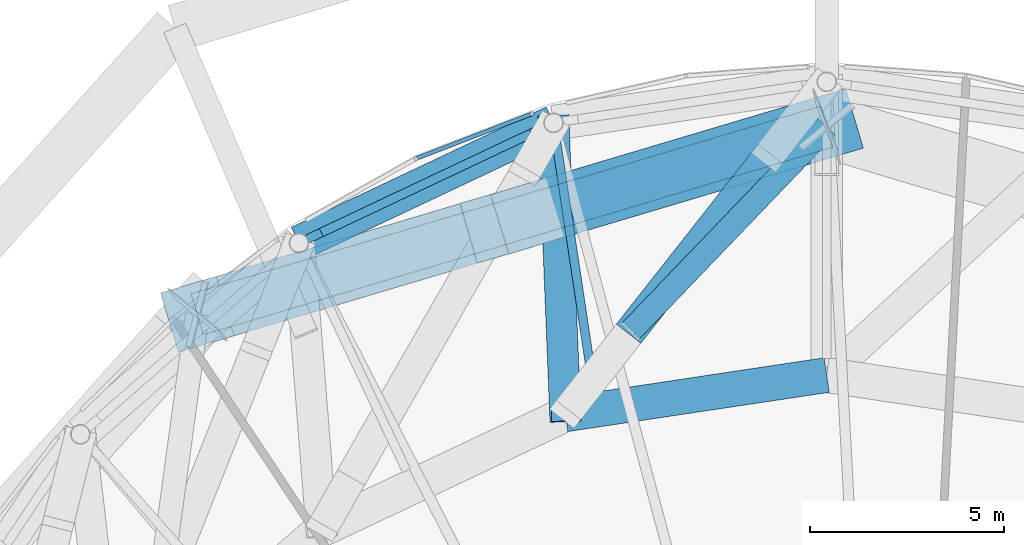
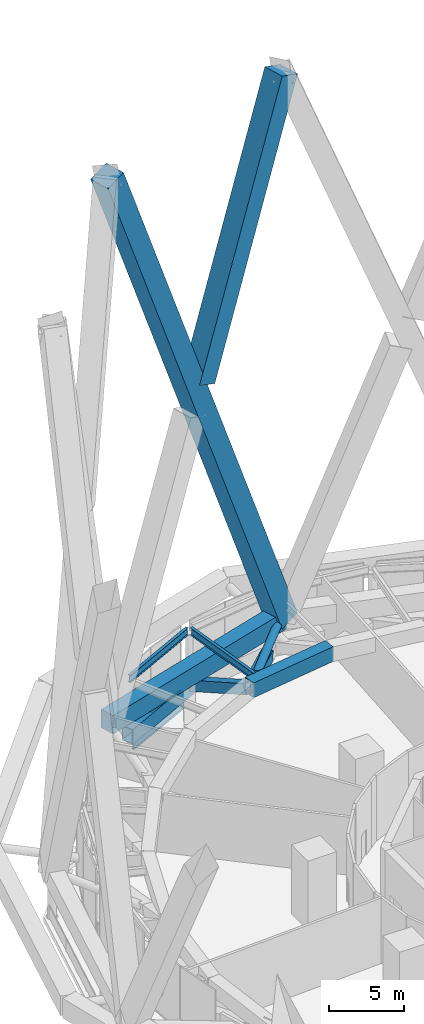
# One storey, part 43 of 65: 7 beams, 5 members, 1 element without a shape of its own.
"""IFC4 building model written with IfcOpenShell, lengths in metres."""

from ifc_helpers import new_model, si_unit, direction, frame, origin, origin_2d, place, context, subcontext, project, spatial, rectangle, hollow_rectangle, hollow_circle, i_section, extrude, material, layer, layer_set, material_profile, profile_set, type_object, element, aggregate, save


model = new_model("IFC4")

# Units and contexts
model_context = context("Model", 3, precision=1e-05, world=origin(), true_north=direction((0.0, 1.0)))
body_context = subcontext(model_context, "Body", "Model", "MODEL_VIEW")
ifc_project = project(units=[si_unit("LENGTHUNIT", "METRE"), si_unit("AREAUNIT", "SQUARE_METRE"), si_unit("VOLUMEUNIT", "CUBIC_METRE"), si_unit("PLANEANGLEUNIT", "RADIAN"), si_unit("MASSUNIT", "GRAM", prefix="KILO")], contexts=[model_context])

# Site, building, storey
site_placement = place(None, origin())
site = spatial("IfcSite", under=ifc_project, at=site_placement, CompositionType="ELEMENT")
building_placement = place(site_placement, origin())
building = spatial("IfcBuilding", under=site, at=building_placement, Name="Nagisa Residences", CompositionType="ELEMENT")
storey_placement = place(building_placement, frame((0.0, 0.0, 114.0)))
storey = spatial("IfcBuildingStorey", under=building, at=storey_placement, Name="L28", CompositionType="ELEMENT", Elevation=114.0)

# Beams
ifc_material_1 = material(Name="Steel ASTM A572 Gr 50", Category="steel")
ifc_material_profile_1 = material_profile(ifc_material_1, hollow_rectangle(XDim=0.89990234375, YDim=1.199951171875, WallThickness=0.050048828125, at=origin_2d()), Name="BX 900x1200x50")
ifc_profile_set_1 = profile_set([ifc_material_profile_1], Name="Steel ASTM A572 Gr 50")
beam_type_1 = type_object("IfcBeamType", Name="Belt chord 2 BX 900x1200x50", PredefinedType="BEAM", material=ifc_profile_set_1)
beam_1_placement = place(storey_placement, frame((-1.800048828125, 26.577392578125, 4.739990234375), z_axis=(-0.988910056119, -0.14851565879, 0.0), x_axis=(0.14851565879, -0.988910056119, 0.0)))
element("IfcBeam", 1, at=beam_1_placement, inside=storey, type_object=beam_type_1, Name="beam:L28:bt2t07", PredefinedType="BEAM", context=body_context, shape_type="SweptSolid", body=[
    extrude(hollow_rectangle(XDim=0.89990234375, YDim=1.199951171875, WallThickness=0.050048828125, at=origin_2d()), origin(), (0.0, 0.0, 1.0), 6.81396484375),
])
beam_2_placement = place(storey_placement, frame((-8.838623046875, 33.075927734375, 0.60009765625), z_axis=(-0.904186908597, -0.427137020547, 0.0), x_axis=(0.427137020547, -0.904186908597, 0.0)))
element("IfcBeam", 2, at=beam_2_placement, inside=storey, type_object=beam_type_1, Name="beam:L28:bt2b08", PredefinedType="BEAM", context=body_context, shape_type="SweptSolid", body=[
    extrude(hollow_rectangle(XDim=0.89990234375, YDim=1.199951171875, WallThickness=0.050048828125, at=origin_2d()), origin(), (0.0, 0.0, 1.0), 7.25390625),
])
ifc_material_2 = material(Name="Steel ASTM A572 Gr 50", Category="steel")
ifc_material_profile_2 = material_profile(ifc_material_2, hollow_rectangle(XDim=0.800048828125, YDim=0.800048828125, WallThickness=0.044921875, at=origin_2d()), Name="BX 800x800x45")
ifc_profile_set_2 = profile_set([ifc_material_profile_2], Name="Steel ASTM A572 Gr 50")
beam_type_2 = type_object("IfcBeamType", Name="Belt diagonal 2 BX 800x800x45", PredefinedType="BEAM", material=ifc_profile_set_2)
beam_3_placement = place(storey_placement, frame((-3.34619140625, 32.166748046875, 1.550048828125), z_axis=(-0.577955209054, -0.734770161986, 0.35507828064), x_axis=(0.78598782367, -0.618241976124, 0.0)))
element("IfcBeam", 3, at=beam_3_placement, inside=storey, type_object=beam_type_2, Name="beam:L28:bt2db07", PredefinedType="BEAM", context=body_context, shape_type="SweptSolid", body=[
    extrude(hollow_rectangle(XDim=0.800048828125, YDim=0.800048828125, WallThickness=0.044921875, at=origin_2d()), origin(), (0.0, 0.0, 1.0), 6.308349609375),
])
beam_4_placement = place(storey_placement, frame((-8.838623046875, 33.075927734375, 0.60009765625), z_axis=(0.034994411211, -0.875230139904, 0.482439212117), x_axis=(0.999201633097, 0.039951175396, 0.0)))
element("IfcBeam", 4, at=beam_4_placement, inside=storey, type_object=beam_type_2, Name="beam:L28:bt2da08", PredefinedType="BEAM", context=body_context, shape_type="SweptSolid", body=[
    extrude(hollow_rectangle(XDim=0.800048828125, YDim=0.800048828125, WallThickness=0.044921875, at=origin_2d()), origin(), (0.0, 0.0, 1.0), 8.5810546875),
])

# Curtain wall, member
ifc_material_3 = material(Name="Aluminium curtain wall system", Category="aluminium")
ifc_layer = layer(ifc_material_3, 0.159912109375)
ifc_layer_set = layer_set([ifc_layer], Name="CW5 CURTAIN WALL")
curtain_wall_type = type_object("IfcCurtainWallType", Name="CW5 CURTAIN WALL", PredefinedType="NOTDEFINED", material=ifc_layer_set)
curtain_wall_placement = place(storey_placement, origin())
curtain_wall = element("IfcCurtainWall", 5, at=curtain_wall_placement, inside=storey, type_object=curtain_wall_type, Name="cw:CW5:L28:14", PredefinedType="NOTDEFINED")
ifc_material_4 = material(Name="Aluminium", Category="aluminium")
ifc_material_profile_3 = material_profile(ifc_material_4, rectangle(XDim=0.10009765625, YDim=0.1201171875, at=origin_2d()), Name="CW5 TRANSOM 100x120")
ifc_profile_set_3 = profile_set([ifc_material_profile_3], Name="Aluminium")
member_type_1 = type_object("IfcMemberType", Name="CW5 TRANSOM 100x120", PredefinedType="USERDEFINED", material=ifc_profile_set_3)
member_1_placement = place(storey_placement, frame((-9.35888671875, 33.322021484375, 0.06005859375), z_axis=(-0.932839740795, -0.360291573581, 0.0), x_axis=(0.360291573581, -0.932839740795, 0.0)))
member_1 = element("IfcMember", 6, at=member_1_placement, type_object=member_type_1, Name="CW5 transom", ObjectType="TRANSOM", PredefinedType="USERDEFINED", context=body_context, shape_type="SweptSolid", body=[
    extrude(rectangle(XDim=0.10009765625, YDim=0.1201171875, at=origin_2d()), origin(), (0.0, 0.0, 1.0), 3.2275390625),
])
aggregate(curtain_wall, [member_1])

# Members
ifc_material_5 = material(Name="Concrete C80", Category="concrete")
ifc_material_profile_4 = material_profile(ifc_material_5, rectangle(XDim=1.60009765625, YDim=1.60009765625, at=origin_2d()), Name="C80 1600x1600")
ifc_profile_set_4 = profile_set([ifc_material_profile_4], Name="Concrete C80")
member_type_2 = type_object("IfcMemberType", Name="Cage diagonal 3 C80 1600x1600", PredefinedType="BRACE", material=ifc_profile_set_4)
member_2_placement = place(storey_placement, frame((-1.800048828125, 32.977294921875, 3.699951171875), z_axis=(-0.340638088742, -0.101570425034, 0.93469200342), x_axis=(0.285744691448, -0.958305781736, 0.0)))
element("IfcMember", 7, at=member_2_placement, inside=storey, type_object=member_type_2, Name="mem:L28:cg3d007", PredefinedType="BRACE", context=body_context, shape_type="SweptSolid", body=[
    extrude(rectangle(XDim=1.60009765625, YDim=1.60009765625, at=origin_2d()), origin(), (0.0, 0.0, 1.0), 47.609375),
])
member_3_placement = place(storey_placement, frame((-9.50537109375, 30.6796875, 27.056640625), z_axis=(0.34063329828, 0.101571558889, 0.934693626023), x_axis=(-0.285751311285, 0.958303807829, 0.0)))
element("IfcMember", 8, at=member_3_placement, inside=storey, type_object=member_type_2, Name="mem:L28:cg3d008b", PredefinedType="BRACE", context=body_context, shape_type="SweptSolid", body=[
    extrude(rectangle(XDim=1.60009765625, YDim=1.60009765625, at=origin_2d()), origin(), (0.0, 0.0, 1.0), 22.62060546875),
])
ifc_material_6 = material(Name="Concrete C80", Category="concrete")
ifc_material_profile_5 = material_profile(ifc_material_6, rectangle(XDim=1.10009765625, YDim=1.5, at=origin_2d()), Name="C80 1100x1500")
ifc_profile_set_5 = profile_set([ifc_material_profile_5], Name="Concrete C80")
member_type_3 = type_object("IfcMemberType", Name="Cage ring 3 C80 1100x1500", PredefinedType="CHORD", material=ifc_profile_set_5)
member_4_placement = place(storey_placement, frame((-1.800048828125, 32.977294921875, 3.699951171875), z_axis=(-0.958305781736, -0.285744691448, 0.0), x_axis=(0.285744691448, -0.958305781736, 0.0)))
element("IfcMember", 9, at=member_4_placement, inside=storey, type_object=member_type_3, Name="beam:L28:cg3r004", PredefinedType="CHORD", context=body_context, shape_type="SweptSolid", body=[
    extrude(rectangle(XDim=1.10009765625, YDim=1.5, at=origin_2d()), origin(), (0.0, 0.0, 1.0), 16.923095703125),
])
ifc_material_7 = material(Name="Steel ASTM A572 Gr 65", Category="steel")
ifc_material_profile_6 = material_profile(ifc_material_7, hollow_circle(Radius=0.304931640625, WallThickness=0.02490234375, at=origin_2d()), Name="CHS 610x25")
ifc_profile_set_6 = profile_set([ifc_material_profile_6], Name="Steel ASTM A572 Gr 65")
member_type_4 = type_object("IfcMemberType", Name="Cage strut CHS 610x25", PredefinedType="STRUT", material=ifc_profile_set_6)
member_5_placement = place(storey_placement, frame((-1.800048828125, 32.977294921875, 3.699951171875), z_axis=(-0.692266126462, -0.721642300696, 0.0), x_axis=(0.721642300696, -0.692266126462, 0.0)))
element("IfcMember", 10, at=member_5_placement, inside=storey, type_object=member_type_4, Name="mem:L28:bt2st3b04", PredefinedType="STRUT", context=body_context, shape_type="SweptSolid", body=[
    extrude(hollow_circle(Radius=0.304931640625, WallThickness=0.02490234375, at=origin_2d()), origin(), (0.0, 0.0, 1.0), 7.28857421875),
])

# Beams
ifc_material_8 = material(Name="Steel ASTM A572 Gr 50", Category="steel")
ifc_material_profile_7 = material_profile(ifc_material_8, i_section(OverallWidth=0.22802734375, OverallDepth=0.60302734375, WebThickness=0.010498046875, FlangeThickness=0.014892578125, at=origin_2d()), Name="W610x101")
ifc_profile_set_7 = profile_set([ifc_material_profile_7], Name="Steel ASTM A572 Gr 50")
beam_type_3 = type_object("IfcBeamType", Name="Garden edge beam W610x101", PredefinedType="BEAM", material=ifc_profile_set_7)
beam_5_placement = place(storey_placement, frame((-9.050048828125, 32.975830078125, 5.03857421875), z_axis=(-0.904198091685, -0.427113346775, 0.0), x_axis=(0.427113346775, -0.904198091685, 0.0)))
element("IfcBeam", 11, at=beam_5_placement, inside=storey, type_object=beam_type_3, Name="beam:L28:bt2ge08", PredefinedType="BEAM", context=body_context, shape_type="SweptSolid", body=[
    extrude(i_section(OverallWidth=0.22802734375, OverallDepth=0.60302734375, WebThickness=0.010498046875, FlangeThickness=0.014892578125, at=origin_2d()), origin(), (0.0, 0.0, 1.0), 6.7861328125),
])
ifc_material_9 = material(Name="Steel ASTM A572 Gr 50", Category="steel")
ifc_material_profile_8 = material_profile(ifc_material_9, i_section(OverallWidth=0.22802734375, OverallDepth=0.60302734375, WebThickness=0.010498046875, FlangeThickness=0.014892578125, at=origin_2d()), Name="W610x101")
ifc_profile_set_8 = profile_set([ifc_material_profile_8], Name="Steel ASTM A572 Gr 50")
beam_type_4 = type_object("IfcBeamType", Name="Garden radial beam W610x101", PredefinedType="BEAM", material=ifc_profile_set_8)
beam_6_placement = place(storey_placement, frame((-8.803955078125, 32.844482421875, 5.03857421875), z_axis=(0.148507049727, -0.988911349, 0.0), x_axis=(0.988911349, 0.148507049727, 0.0)))
element("IfcBeam", 12, at=beam_6_placement, inside=storey, type_object=beam_type_4, Name="beam:L28:bt2gr08", PredefinedType="BEAM", context=body_context, shape_type="SweptSolid", body=[
    extrude(i_section(OverallWidth=0.22802734375, OverallDepth=0.60302734375, WebThickness=0.010498046875, FlangeThickness=0.014892578125, at=origin_2d()), origin(), (0.0, 0.0, 1.0), 6.8076171875),
])
ifc_material_10 = material(Name="Steel ASTM A572 Gr 50", Category="steel")
ifc_material_profile_9 = material_profile(ifc_material_10, i_section(OverallWidth=0.22900390625, OverallDepth=0.612060546875, WebThickness=0.011962890625, FlangeThickness=0.01953125, at=origin_2d()), Name="W610x125")
ifc_profile_set_9 = profile_set([ifc_material_profile_9], Name="Steel ASTM A572 Gr 50")
beam_type_5 = type_object("IfcBeamType", Name="Perimeter ring beam W610x125", PredefinedType="BEAM", material=ifc_profile_set_9)
beam_7_placement = place(storey_placement, frame((-9.41455078125, 32.8037109375, -0.656005859375), z_axis=(-0.90418952838, -0.427131474804, 0.0), x_axis=(0.427131474804, -0.90418952838, 0.0)))
element("IfcBeam", 13, at=beam_7_placement, inside=storey, type_object=beam_type_5, Name="beam:L28:pb08", PredefinedType="BEAM", context=body_context, shape_type="SweptSolid", body=[
    extrude(i_section(OverallWidth=0.22900390625, OverallDepth=0.612060546875, WebThickness=0.011962890625, FlangeThickness=0.01953125, at=origin_2d()), origin(), (0.0, 0.0, 1.0), 5.98046875),
])

save(model, "model.ifc")
